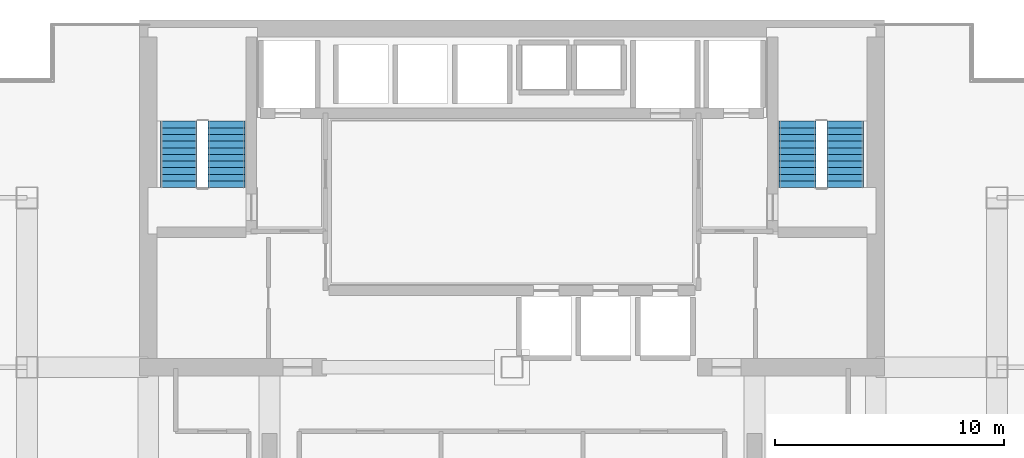
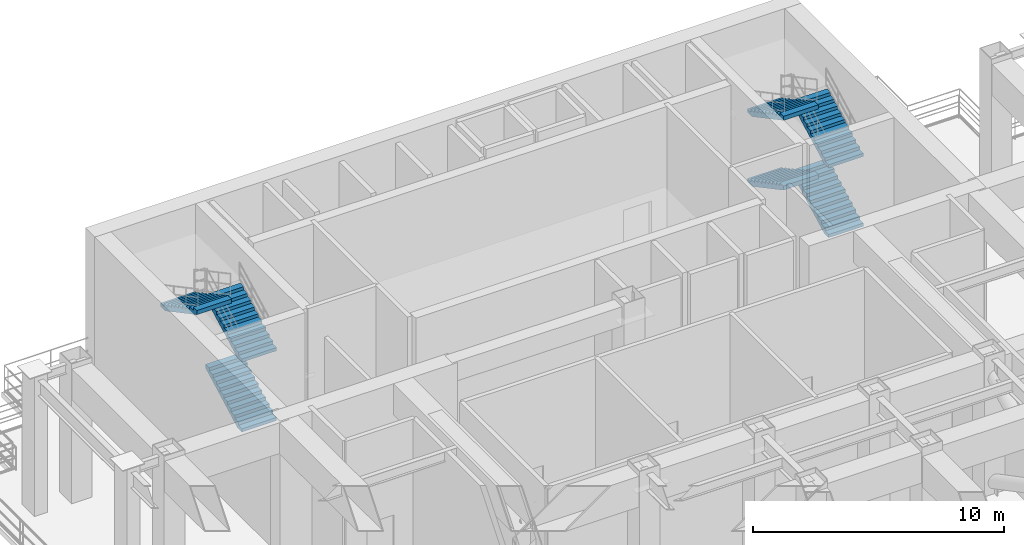
# One storey, part 5 of 8: 7 stair flights, 2 elements without a shape of their own.
"""IFC4 building model written with IfcOpenShell, lengths in metres."""

from ifc_helpers import new_model, si_unit, direction, frame, origin, place, context, subcontext, project, spatial, polyline, outline, extrude, material, type_object, element, aggregate, save


model = new_model("IFC4")

# Units and contexts
model_context = context("Model", 3, precision=1e-05, world=origin(), true_north=direction((0.0, 1.0)))
body_context = subcontext(model_context, "Body", "Model", "MODEL_VIEW")
ifc_project = project(units=[si_unit("LENGTHUNIT", "METRE"), si_unit("AREAUNIT", "SQUARE_METRE"), si_unit("VOLUMEUNIT", "CUBIC_METRE"), si_unit("PLANEANGLEUNIT", "RADIAN"), si_unit("MASSUNIT", "GRAM", prefix="KILO")], contexts=[model_context])

# Site, building, storey
site_placement = place(None, origin())
site = spatial("IfcSite", under=ifc_project, at=site_placement, CompositionType="ELEMENT")
building_placement = place(site_placement, origin())
building = spatial("IfcBuilding", under=site, at=building_placement, Name="Qianlan Lanfeng Residences", CompositionType="ELEMENT")
storey_placement = place(building_placement, frame((0.0, 0.0, 127.89990234375)))
storey = spatial("IfcBuildingStorey", under=building, at=storey_placement, Name="L35", CompositionType="ELEMENT", Elevation=127.89990234375)

# Stair, stair flights
ifc_material = material(Name="Concrete C42", Category="concrete")
stair_type = type_object("IfcStairType", Name="STR-MAIN", PredefinedType="HALF_TURN_STAIR", material=ifc_material)
stair_1_placement = place(storey_placement, origin())
stair_1 = element("IfcStair", 1, at=stair_1_placement, inside=storey, type_object=stair_type, Name="L35 Exit Stair ST-1", PredefinedType="HALF_TURN_STAIR")
stair_flight_type = type_object("IfcStairFlightType", Name="FLT-1720", PredefinedType="STRAIGHT", material=ifc_material)
stair_flight_1_placement = place(storey_placement, frame((14.02001953125, 33.050048828125, 0.0), z_axis=(0.0, 0.0, 1.0), x_axis=(0.0, 1.0, 0.0)))
stair_flight_1 = element("IfcStairFlight", 2, at=stair_flight_1_placement, type_object=stair_flight_type, Name="ST-1 flight 1", NumberOfRisers=11, NumberOfTreads=10, PredefinedType="STRAIGHT", RiserHeight=0.154545455, TreadLength=0.29, context=body_context, shape_type="SweptSolid", body=[
    extrude(outline(polyline([(0.0, 0.0), (0.0, 0.154541015625), (0.2900390625, 0.154541015625), (0.2900390625, 0.30908203125), (0.580078125, 0.30908203125), (0.580078125, 0.463623046875), (0.8701171875, 0.463623046875), (0.8701171875, 0.6181640625), (1.159912109375, 0.6181640625), (1.159912109375, 0.772705078125), (1.449951171875, 0.772705078125), (1.449951171875, 0.92724609375), (1.739990234375, 0.92724609375), (1.739990234375, 1.081787109375), (2.030029296875, 1.081787109375), (2.030029296875, 1.236328125), (2.320068359375, 1.236328125), (2.320068359375, 1.390869140625), (2.610107421875, 1.390869140625), (2.610107421875, 1.54541015625), (2.89990234375, 1.54541015625), (2.89990234375, 1.699951171875), (2.89990234375, 1.341552734375), (0.382568359375, 0.0), (0.0, 0.0)])), frame((0.0, 0.800048828125, 0.0), z_axis=(0.0, -1.0, 0.0), x_axis=(1.0, 0.0, 0.0)), (0.0, 0.0, 1.0), 1.60009765625),
])
stair_flight_2_placement = place(storey_placement, frame((14.02001953125, 33.050048828125, 3.400146484375), z_axis=(0.0, 0.0, 1.0), x_axis=(0.0, 1.0, 0.0)))
stair_flight_2 = element("IfcStairFlight", 3, at=stair_flight_2_placement, type_object=stair_flight_type, Name="ST-1 flight 3", NumberOfRisers=11, NumberOfTreads=10, PredefinedType="STRAIGHT", RiserHeight=0.154545455, TreadLength=0.29, context=body_context, shape_type="SweptSolid", body=[
    extrude(outline(polyline([(0.0, 0.0), (0.0, 0.154541015625), (0.2900390625, 0.154541015625), (0.2900390625, 0.30908203125), (0.580078125, 0.30908203125), (0.580078125, 0.463623046875), (0.8701171875, 0.463623046875), (0.8701171875, 0.6181640625), (1.159912109375, 0.6181640625), (1.159912109375, 0.772705078125), (1.449951171875, 0.772705078125), (1.449951171875, 0.92724609375), (1.739990234375, 0.92724609375), (1.739990234375, 1.081787109375), (2.030029296875, 1.081787109375), (2.030029296875, 1.236328125), (2.320068359375, 1.236328125), (2.320068359375, 1.390869140625), (2.610107421875, 1.390869140625), (2.610107421875, 1.54541015625), (2.89990234375, 1.54541015625), (2.89990234375, 1.699951171875), (2.89990234375, 1.341552734375), (0.382568359375, 0.0), (0.0, 0.0)])), frame((0.0, 0.800048828125, 0.0), z_axis=(0.0, -1.0, 0.0), x_axis=(1.0, 0.0, 0.0)), (0.0, 0.0, 1.0), 1.60009765625),
])
stair_flight_3_placement = place(storey_placement, frame((11.93994140625, 35.949951171875, 5.10009765625), z_axis=(0.0, 0.0, 1.0), x_axis=(0.0, -1.0, 0.0)))
stair_flight_3 = element("IfcStairFlight", 4, at=stair_flight_3_placement, type_object=stair_flight_type, Name="ST-1 flight 4", NumberOfRisers=11, NumberOfTreads=10, PredefinedType="STRAIGHT", RiserHeight=0.154545455, TreadLength=0.29, context=body_context, shape_type="SweptSolid", body=[
    extrude(outline(polyline([(0.0, 0.0), (0.0, 0.154541015625), (0.2900390625, 0.154541015625), (0.2900390625, 0.30908203125), (0.580078125, 0.30908203125), (0.580078125, 0.463623046875), (0.8701171875, 0.463623046875), (0.8701171875, 0.6181640625), (1.159912109375, 0.6181640625), (1.159912109375, 0.772705078125), (1.449951171875, 0.772705078125), (1.449951171875, 0.92724609375), (1.739990234375, 0.92724609375), (1.739990234375, 1.081787109375), (2.030029296875, 1.081787109375), (2.030029296875, 1.236328125), (2.320068359375, 1.236328125), (2.320068359375, 1.390869140625), (2.610107421875, 1.390869140625), (2.610107421875, 1.54541015625), (2.89990234375, 1.54541015625), (2.89990234375, 1.699951171875), (2.89990234375, 1.341552734375), (0.382568359375, 0.0), (0.0, 0.0)])), frame((0.0, 0.800048828125, 0.0), z_axis=(0.0, -1.0, 0.0), x_axis=(1.0, 0.0, 0.0)), (0.0, 0.0, 1.0), 1.60009765625),
])
aggregate(stair_1, [stair_flight_1, stair_flight_2, stair_flight_3])

stair_2_placement = place(storey_placement, origin())
stair_2 = element("IfcStair", 5, at=stair_2_placement, inside=storey, type_object=stair_type, Name="L35 Exit Stair ST-2", PredefinedType="HALF_TURN_STAIR")
stair_flight_4_placement = place(storey_placement, frame((41.06005859375, 33.050048828125, 0.0), z_axis=(0.0, 0.0, 1.0), x_axis=(0.0, 1.0, 0.0)))
stair_flight_4 = element("IfcStairFlight", 6, at=stair_flight_4_placement, type_object=stair_flight_type, Name="ST-2 flight 1", NumberOfRisers=11, NumberOfTreads=10, PredefinedType="STRAIGHT", RiserHeight=0.154545455, TreadLength=0.29, context=body_context, shape_type="SweptSolid", body=[
    extrude(outline(polyline([(0.0, 0.0), (0.0, 0.154541015625), (0.2900390625, 0.154541015625), (0.2900390625, 0.30908203125), (0.580078125, 0.30908203125), (0.580078125, 0.463623046875), (0.8701171875, 0.463623046875), (0.8701171875, 0.6181640625), (1.159912109375, 0.6181640625), (1.159912109375, 0.772705078125), (1.449951171875, 0.772705078125), (1.449951171875, 0.92724609375), (1.739990234375, 0.92724609375), (1.739990234375, 1.081787109375), (2.030029296875, 1.081787109375), (2.030029296875, 1.236328125), (2.320068359375, 1.236328125), (2.320068359375, 1.390869140625), (2.610107421875, 1.390869140625), (2.610107421875, 1.54541015625), (2.89990234375, 1.54541015625), (2.89990234375, 1.699951171875), (2.89990234375, 1.341552734375), (0.382568359375, 0.0), (0.0, 0.0)])), frame((0.0, 0.800048828125, 0.0), z_axis=(0.0, -1.0, 0.0), x_axis=(1.0, 0.0, 0.0)), (0.0, 0.0, 1.0), 1.60009765625),
])
stair_flight_5_placement = place(storey_placement, frame((38.97998046875, 35.949951171875, 1.7001953125), z_axis=(0.0, 0.0, 1.0), x_axis=(0.0, -1.0, 0.0)))
stair_flight_5 = element("IfcStairFlight", 7, at=stair_flight_5_placement, type_object=stair_flight_type, Name="ST-2 flight 2", NumberOfRisers=11, NumberOfTreads=10, PredefinedType="STRAIGHT", RiserHeight=0.154545455, TreadLength=0.29, context=body_context, shape_type="SweptSolid", body=[
    extrude(outline(polyline([(0.0, 0.0), (0.0, 0.154541015625), (0.2900390625, 0.154541015625), (0.2900390625, 0.30908203125), (0.580078125, 0.30908203125), (0.580078125, 0.463623046875), (0.8701171875, 0.463623046875), (0.8701171875, 0.6181640625), (1.159912109375, 0.6181640625), (1.159912109375, 0.772705078125), (1.449951171875, 0.772705078125), (1.449951171875, 0.92724609375), (1.739990234375, 0.92724609375), (1.739990234375, 1.081787109375), (2.030029296875, 1.081787109375), (2.030029296875, 1.236328125), (2.320068359375, 1.236328125), (2.320068359375, 1.390869140625), (2.610107421875, 1.390869140625), (2.610107421875, 1.54541015625), (2.89990234375, 1.54541015625), (2.89990234375, 1.699951171875), (2.89990234375, 1.341552734375), (0.382568359375, 0.0), (0.0, 0.0)])), frame((0.0, 0.800048828125, 0.0), z_axis=(0.0, -1.0, 0.0), x_axis=(1.0, 0.0, 0.0)), (0.0, 0.0, 1.0), 1.60009765625),
])
stair_flight_6_placement = place(storey_placement, frame((41.06005859375, 33.050048828125, 3.400146484375), z_axis=(0.0, 0.0, 1.0), x_axis=(0.0, 1.0, 0.0)))
stair_flight_6 = element("IfcStairFlight", 8, at=stair_flight_6_placement, type_object=stair_flight_type, Name="ST-2 flight 3", NumberOfRisers=11, NumberOfTreads=10, PredefinedType="STRAIGHT", RiserHeight=0.154545455, TreadLength=0.29, context=body_context, shape_type="SweptSolid", body=[
    extrude(outline(polyline([(0.0, 0.0), (0.0, 0.154541015625), (0.2900390625, 0.154541015625), (0.2900390625, 0.30908203125), (0.580078125, 0.30908203125), (0.580078125, 0.463623046875), (0.8701171875, 0.463623046875), (0.8701171875, 0.6181640625), (1.159912109375, 0.6181640625), (1.159912109375, 0.772705078125), (1.449951171875, 0.772705078125), (1.449951171875, 0.92724609375), (1.739990234375, 0.92724609375), (1.739990234375, 1.081787109375), (2.030029296875, 1.081787109375), (2.030029296875, 1.236328125), (2.320068359375, 1.236328125), (2.320068359375, 1.390869140625), (2.610107421875, 1.390869140625), (2.610107421875, 1.54541015625), (2.89990234375, 1.54541015625), (2.89990234375, 1.699951171875), (2.89990234375, 1.341552734375), (0.382568359375, 0.0), (0.0, 0.0)])), frame((0.0, 0.800048828125, 0.0), z_axis=(0.0, -1.0, 0.0), x_axis=(1.0, 0.0, 0.0)), (0.0, 0.0, 1.0), 1.60009765625),
])
stair_flight_7_placement = place(storey_placement, frame((38.97998046875, 35.949951171875, 5.10009765625), z_axis=(0.0, 0.0, 1.0), x_axis=(0.0, -1.0, 0.0)))
stair_flight_7 = element("IfcStairFlight", 9, at=stair_flight_7_placement, type_object=stair_flight_type, Name="ST-2 flight 4", NumberOfRisers=11, NumberOfTreads=10, PredefinedType="STRAIGHT", RiserHeight=0.154545455, TreadLength=0.29, context=body_context, shape_type="SweptSolid", body=[
    extrude(outline(polyline([(0.0, 0.0), (0.0, 0.154541015625), (0.2900390625, 0.154541015625), (0.2900390625, 0.30908203125), (0.580078125, 0.30908203125), (0.580078125, 0.463623046875), (0.8701171875, 0.463623046875), (0.8701171875, 0.6181640625), (1.159912109375, 0.6181640625), (1.159912109375, 0.772705078125), (1.449951171875, 0.772705078125), (1.449951171875, 0.92724609375), (1.739990234375, 0.92724609375), (1.739990234375, 1.081787109375), (2.030029296875, 1.081787109375), (2.030029296875, 1.236328125), (2.320068359375, 1.236328125), (2.320068359375, 1.390869140625), (2.610107421875, 1.390869140625), (2.610107421875, 1.54541015625), (2.89990234375, 1.54541015625), (2.89990234375, 1.699951171875), (2.89990234375, 1.341552734375), (0.382568359375, 0.0), (0.0, 0.0)])), frame((0.0, 0.800048828125, 0.0), z_axis=(0.0, -1.0, 0.0), x_axis=(1.0, 0.0, 0.0)), (0.0, 0.0, 1.0), 1.60009765625),
])
aggregate(stair_2, [stair_flight_4, stair_flight_5, stair_flight_6, stair_flight_7])

save(model, "model.ifc")
